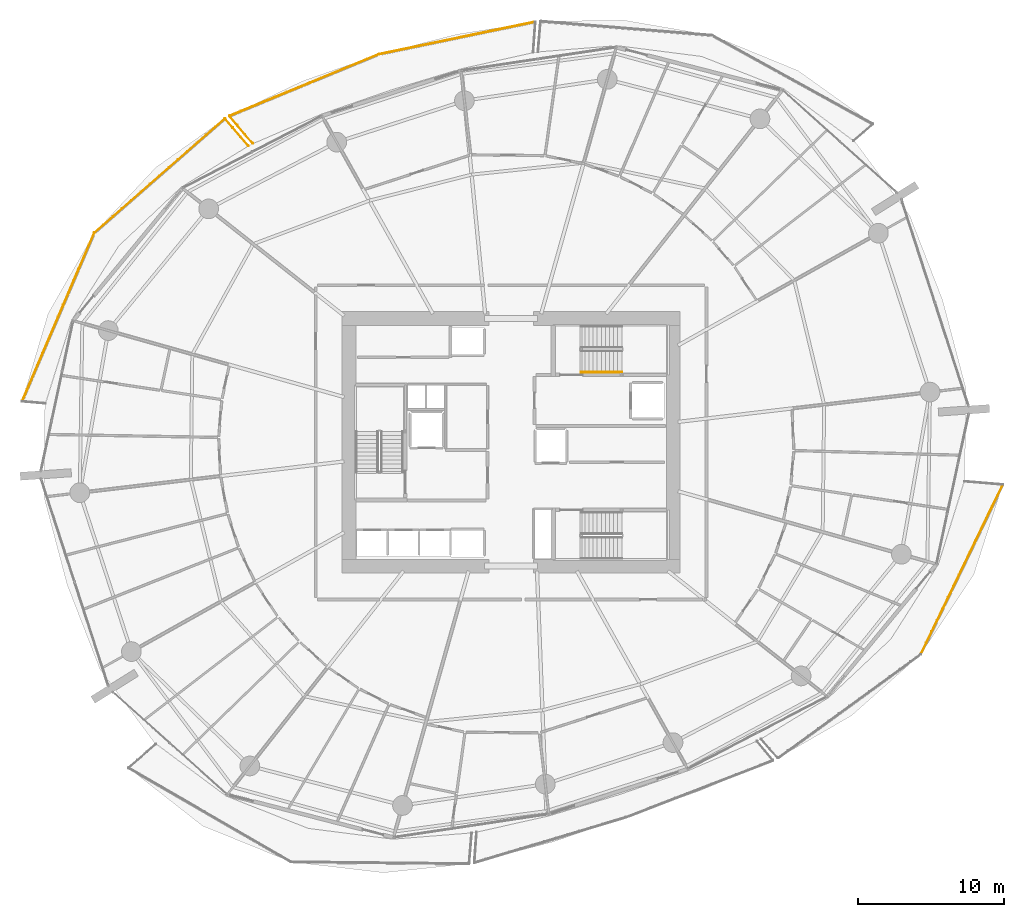
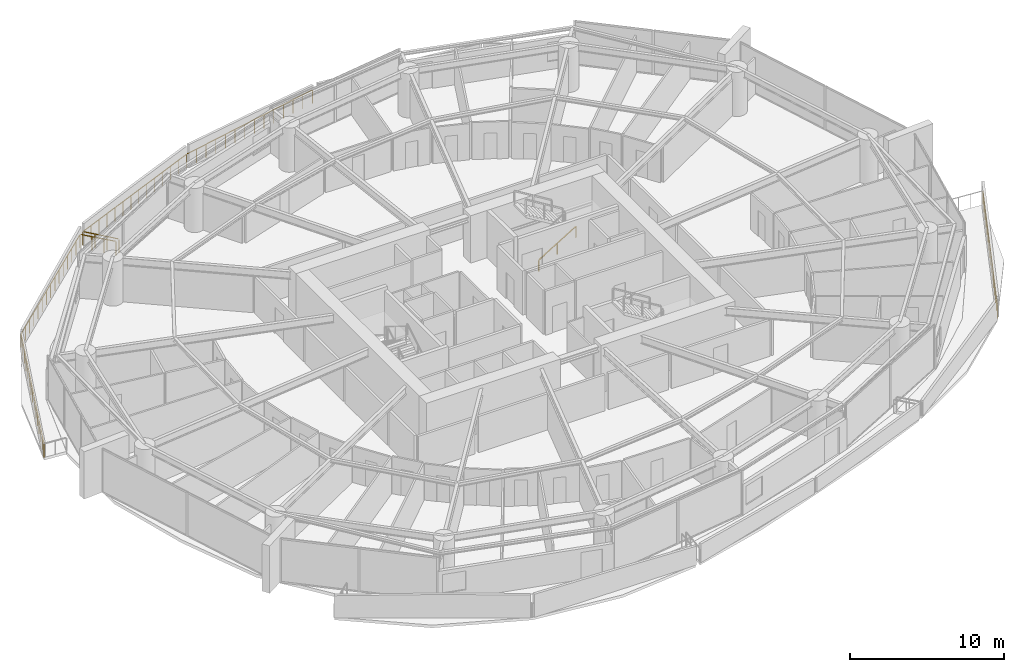
# One storey, part 28 of 30: 8 railings.
"""IFC4 building model written with IfcOpenShell, lengths in metres."""

from ifc_helpers import new_model, si_unit, direction, frame, origin, origin_2d, place, context, subcontext, project, spatial, rectangle, extrude, material, type_object, element, save


model = new_model("IFC4")

# Units and contexts
model_context = context("Model", 3, precision=1e-05, world=origin(), true_north=direction((0.0, 1.0)))
body_context = subcontext(model_context, "Body", "Model", "MODEL_VIEW")
ifc_project = project(units=[si_unit("LENGTHUNIT", "METRE"), si_unit("AREAUNIT", "SQUARE_METRE"), si_unit("VOLUMEUNIT", "CUBIC_METRE"), si_unit("PLANEANGLEUNIT", "RADIAN"), si_unit("MASSUNIT", "GRAM", prefix="KILO")], contexts=[model_context])

# Site, building, storey
site_placement = place(None, origin())
site = spatial("IfcSite", under=ifc_project, at=site_placement, CompositionType="ELEMENT")
building_placement = place(site_placement, origin())
building = spatial("IfcBuilding", under=site, at=building_placement, Name="Kazma Halo Residences", CompositionType="ELEMENT")
storey_placement = place(building_placement, frame((0.0, 0.0, 56.39990234375)))
storey = spatial("IfcBuildingStorey", under=building, at=storey_placement, Name="L13", CompositionType="ELEMENT", Elevation=56.39990234375)

# Railings
ifc_material_1 = material(Name="Aluminium AW-6063 T6 Brushed Cap Rail", Category="aluminium")
railing_type_1 = type_object("IfcRailingType", Name="RLG-BAL-CAP-1120", PredefinedType="BALUSTRADE", material=ifc_material_1)
railing_1_placement = place(storey_placement, frame((50.0888671875, 70.78955078125, 0.0)))
element("IfcRailing", 1, at=railing_1_placement, inside=storey, type_object=railing_type_1, Name="L13 NNW wave balcony guard 2", PredefinedType="BALUSTRADE", context=body_context, shape_type="SweptSolid", body=[
    extrude(rectangle(XDim=0.050048828125, YDim=0.050048828125, at=origin_2d()), frame((-0.041748046875, -0.008544921875, 1.09521484375), z_axis=(-0.979112484699, -0.2033193112, 0.0), x_axis=(0.2033193112, -0.979112484699, 0.0)), (0.0, 0.0, 1.0), 10.863525390625),
    extrude(rectangle(XDim=0.0400390625, YDim=0.0400390625, at=origin_2d()), origin(), (0.0, 0.0, 1.0), 1.05810546875),
    extrude(rectangle(XDim=0.0400390625, YDim=0.0400390625, at=origin_2d()), frame((-0.82470703125, -0.171142578125, 0.0)), (0.0, 0.0, 1.0), 1.05810546875),
    extrude(rectangle(XDim=0.0400390625, YDim=0.0400390625, at=origin_2d()), frame((-1.649169921875, -0.342529296875, 0.0)), (0.0, 0.0, 1.0), 1.05810546875),
    extrude(rectangle(XDim=0.0400390625, YDim=0.0400390625, at=origin_2d()), frame((-2.473876953125, -0.513671875, 0.0)), (0.0, 0.0, 1.0), 1.05810546875),
    extrude(rectangle(XDim=0.0400390625, YDim=0.0400390625, at=origin_2d()), frame((-3.29833984375, -0.68505859375, 0.0)), (0.0, 0.0, 1.0), 1.05810546875),
    extrude(rectangle(XDim=0.0400390625, YDim=0.0400390625, at=origin_2d()), frame((-4.123046875, -0.856201171875, 0.0)), (0.0, 0.0, 1.0), 1.05810546875),
    extrude(rectangle(XDim=0.0400390625, YDim=0.0400390625, at=origin_2d()), frame((-4.94775390625, -1.02734375, 0.0)), (0.0, 0.0, 1.0), 1.05810546875),
    extrude(rectangle(XDim=0.0400390625, YDim=0.0400390625, at=origin_2d()), frame((-5.772216796875, -1.19873046875, 0.0)), (0.0, 0.0, 1.0), 1.05810546875),
    extrude(rectangle(XDim=0.0400390625, YDim=0.0400390625, at=origin_2d()), frame((-6.596923828125, -1.369873046875, 0.0)), (0.0, 0.0, 1.0), 1.05810546875),
    extrude(rectangle(XDim=0.0400390625, YDim=0.0400390625, at=origin_2d()), frame((-7.421630859375, -1.541015625, 0.0)), (0.0, 0.0, 1.0), 1.05810546875),
    extrude(rectangle(XDim=0.0400390625, YDim=0.0400390625, at=origin_2d()), frame((-8.24609375, -1.71240234375, 0.0)), (0.0, 0.0, 1.0), 1.05810546875),
    extrude(rectangle(XDim=0.0400390625, YDim=0.0400390625, at=origin_2d()), frame((-9.07080078125, -1.883544921875, 0.0)), (0.0, 0.0, 1.0), 1.05810546875),
    extrude(rectangle(XDim=0.0400390625, YDim=0.0400390625, at=origin_2d()), frame((-9.895263671875, -2.054931640625, 0.0)), (0.0, 0.0, 1.0), 1.05810546875),
    extrude(rectangle(XDim=0.0400390625, YDim=0.0400390625, at=origin_2d()), frame((-10.719970703125, -2.22607421875, 0.0)), (0.0, 0.0, 1.0), 1.05810546875),
])
railing_2_placement = place(storey_placement, frame((39.368896484375, 68.5634765625, 0.0)))
element("IfcRailing", 2, at=railing_2_placement, inside=storey, type_object=railing_type_1, Name="L13 NNW wave balcony guard 3", PredefinedType="BALUSTRADE", context=body_context, shape_type="SweptSolid", body=[
    extrude(rectangle(XDim=0.050048828125, YDim=0.050048828125, at=origin_2d()), frame((-0.039306640625, -0.016357421875, 1.09521484375), z_axis=(-0.924216356135, -0.381869253873, 0.0), x_axis=(0.381869253873, -0.924216356135, 0.0)), (0.0, 0.0, 1.0), 10.968994140625),
    extrude(rectangle(XDim=0.0400390625, YDim=0.0400390625, at=origin_2d()), origin(), (0.0, 0.0, 1.0), 1.05810546875),
    extrude(rectangle(XDim=0.0400390625, YDim=0.0400390625, at=origin_2d()), frame((-0.785888671875, -0.32470703125, 0.0)), (0.0, 0.0, 1.0), 1.05810546875),
    extrude(rectangle(XDim=0.0400390625, YDim=0.0400390625, at=origin_2d()), frame((-1.57177734375, -0.6494140625, 0.0)), (0.0, 0.0, 1.0), 1.05810546875),
    extrude(rectangle(XDim=0.0400390625, YDim=0.0400390625, at=origin_2d()), frame((-2.357666015625, -0.97412109375, 0.0)), (0.0, 0.0, 1.0), 1.05810546875),
    extrude(rectangle(XDim=0.0400390625, YDim=0.0400390625, at=origin_2d()), frame((-3.1435546875, -1.298828125, 0.0)), (0.0, 0.0, 1.0), 1.05810546875),
    extrude(rectangle(XDim=0.0400390625, YDim=0.0400390625, at=origin_2d()), frame((-3.929443359375, -1.62353515625, 0.0)), (0.0, 0.0, 1.0), 1.05810546875),
    extrude(rectangle(XDim=0.0400390625, YDim=0.0400390625, at=origin_2d()), frame((-4.71533203125, -1.9482421875, 0.0)), (0.0, 0.0, 1.0), 1.05810546875),
    extrude(rectangle(XDim=0.0400390625, YDim=0.0400390625, at=origin_2d()), frame((-5.5009765625, -2.27294921875, 0.0)), (0.0, 0.0, 1.0), 1.05810546875),
    extrude(rectangle(XDim=0.0400390625, YDim=0.0400390625, at=origin_2d()), frame((-6.286865234375, -2.59765625, 0.0)), (0.0, 0.0, 1.0), 1.05810546875),
    extrude(rectangle(XDim=0.0400390625, YDim=0.0400390625, at=origin_2d()), frame((-7.07275390625, -2.92236328125, 0.0)), (0.0, 0.0, 1.0), 1.05810546875),
    extrude(rectangle(XDim=0.0400390625, YDim=0.0400390625, at=origin_2d()), frame((-7.858642578125, -3.2470703125, 0.0)), (0.0, 0.0, 1.0), 1.05810546875),
    extrude(rectangle(XDim=0.0400390625, YDim=0.0400390625, at=origin_2d()), frame((-8.64453125, -3.57177734375, 0.0)), (0.0, 0.0, 1.0), 1.05810546875),
    extrude(rectangle(XDim=0.0400390625, YDim=0.0400390625, at=origin_2d()), frame((-9.430419921875, -3.896484375, 0.0)), (0.0, 0.0, 1.0), 1.05810546875),
    extrude(rectangle(XDim=0.0400390625, YDim=0.0400390625, at=origin_2d()), frame((-10.21630859375, -4.22119140625, 0.0)), (0.0, 0.0, 1.0), 1.05810546875),
])
railing_3_placement = place(storey_placement, frame((29.152587890625, 64.34228515625, 0.0)))
element("IfcRailing", 3, at=railing_3_placement, inside=storey, type_object=railing_type_1, Name="L13 NNW wave balcony guard 4", PredefinedType="BALUSTRADE", context=body_context, shape_type="SweptSolid", body=[
    extrude(rectangle(XDim=0.050048828125, YDim=0.050048828125, at=origin_2d()), frame((0.02734375, -0.032470703125, 1.09521484375), z_axis=(0.644820619773, -0.764333937697, 0.0), x_axis=(0.764333937697, 0.644820619773, 0.0)), (0.0, 0.0, 1.0), 2.394775390625),
    extrude(rectangle(XDim=0.0400390625, YDim=0.0400390625, at=origin_2d()), origin(), (0.0, 0.0, 1.0), 1.05810546875),
    extrude(rectangle(XDim=0.0400390625, YDim=0.0400390625, at=origin_2d()), frame((0.532958984375, -0.6318359375, 0.0)), (0.0, 0.0, 1.0), 1.05810546875),
    extrude(rectangle(XDim=0.0400390625, YDim=0.0400390625, at=origin_2d()), frame((1.066162109375, -1.263671875, 0.0)), (0.0, 0.0, 1.0), 1.05810546875),
    extrude(rectangle(XDim=0.0400390625, YDim=0.0400390625, at=origin_2d()), frame((1.59912109375, -1.8955078125, 0.0)), (0.0, 0.0, 1.0), 1.05810546875),
])
railing_4_placement = place(storey_placement, frame((30.453857421875, 62.29150390625, 0.0)))
element("IfcRailing", 4, at=railing_4_placement, inside=storey, type_object=railing_type_1, Name="L13 NW wave balcony guard 1", PredefinedType="BALUSTRADE", context=body_context, shape_type="SweptSolid", body=[
    extrude(rectangle(XDim=0.050048828125, YDim=0.050048828125, at=origin_2d()), frame((-0.02783203125, 0.0322265625, 1.09521484375), z_axis=(-0.654087786706, 0.756418645514, 0.0), x_axis=(-0.756418645514, -0.654087786706, 0.0)), (0.0, 0.0, 1.0), 2.38671875),
    extrude(rectangle(XDim=0.0400390625, YDim=0.0400390625, at=origin_2d()), origin(), (0.0, 0.0, 1.0), 1.05810546875),
    extrude(rectangle(XDim=0.0400390625, YDim=0.0400390625, at=origin_2d()), frame((-0.538818359375, 0.623291015625, 0.0)), (0.0, 0.0, 1.0), 1.05810546875),
    extrude(rectangle(XDim=0.0400390625, YDim=0.0400390625, at=origin_2d()), frame((-1.077880859375, 1.246337890625, 0.0)), (0.0, 0.0, 1.0), 1.05810546875),
    extrude(rectangle(XDim=0.0400390625, YDim=0.0400390625, at=origin_2d()), frame((-1.61669921875, 1.86962890625, 0.0)), (0.0, 0.0, 1.0), 1.05810546875),
])
railing_5_placement = place(storey_placement, frame((28.837158203125, 64.1611328125, 0.0)))
element("IfcRailing", 5, at=railing_5_placement, inside=storey, type_object=railing_type_1, Name="L13 NW wave balcony guard 2", PredefinedType="BALUSTRADE", context=body_context, shape_type="SweptSolid", body=[
    extrude(rectangle(XDim=0.050048828125, YDim=0.050048828125, at=origin_2d()), frame((-0.031982421875, -0.028076171875, 1.09521484375), z_axis=(-0.752310924401, -0.658808221736, 0.0), x_axis=(0.658808221736, -0.752310924401, 0.0)), (0.0, 0.0, 1.0), 11.810791015625),
    extrude(rectangle(XDim=0.0400390625, YDim=0.0400390625, at=origin_2d()), origin(), (0.0, 0.0, 1.0), 1.05810546875),
    extrude(rectangle(XDim=0.0400390625, YDim=0.0400390625, at=origin_2d()), frame((-0.63916015625, -0.559814453125, 0.0)), (0.0, 0.0, 1.0), 1.05810546875),
    extrude(rectangle(XDim=0.0400390625, YDim=0.0400390625, at=origin_2d()), frame((-1.278564453125, -1.11962890625, 0.0)), (0.0, 0.0, 1.0), 1.05810546875),
    extrude(rectangle(XDim=0.0400390625, YDim=0.0400390625, at=origin_2d()), frame((-1.917724609375, -1.679443359375, 0.0)), (0.0, 0.0, 1.0), 1.05810546875),
    extrude(rectangle(XDim=0.0400390625, YDim=0.0400390625, at=origin_2d()), frame((-2.556884765625, -2.2392578125, 0.0)), (0.0, 0.0, 1.0), 1.05810546875),
    extrude(rectangle(XDim=0.0400390625, YDim=0.0400390625, at=origin_2d()), frame((-3.1962890625, -2.799072265625, 0.0)), (0.0, 0.0, 1.0), 1.05810546875),
    extrude(rectangle(XDim=0.0400390625, YDim=0.0400390625, at=origin_2d()), frame((-3.83544921875, -3.35888671875, 0.0)), (0.0, 0.0, 1.0), 1.05810546875),
    extrude(rectangle(XDim=0.0400390625, YDim=0.0400390625, at=origin_2d()), frame((-4.474609375, -3.91845703125, 0.0)), (0.0, 0.0, 1.0), 1.05810546875),
    extrude(rectangle(XDim=0.0400390625, YDim=0.0400390625, at=origin_2d()), frame((-5.114013671875, -4.478271484375, 0.0)), (0.0, 0.0, 1.0), 1.05810546875),
    extrude(rectangle(XDim=0.0400390625, YDim=0.0400390625, at=origin_2d()), frame((-5.753173828125, -5.0380859375, 0.0)), (0.0, 0.0, 1.0), 1.05810546875),
    extrude(rectangle(XDim=0.0400390625, YDim=0.0400390625, at=origin_2d()), frame((-6.392578125, -5.597900390625, 0.0)), (0.0, 0.0, 1.0), 1.05810546875),
    extrude(rectangle(XDim=0.0400390625, YDim=0.0400390625, at=origin_2d()), frame((-7.03173828125, -6.15771484375, 0.0)), (0.0, 0.0, 1.0), 1.05810546875),
    extrude(rectangle(XDim=0.0400390625, YDim=0.0400390625, at=origin_2d()), frame((-7.6708984375, -6.717529296875, 0.0)), (0.0, 0.0, 1.0), 1.05810546875),
    extrude(rectangle(XDim=0.0400390625, YDim=0.0400390625, at=origin_2d()), frame((-8.310302734375, -7.27734375, 0.0)), (0.0, 0.0, 1.0), 1.05810546875),
    extrude(rectangle(XDim=0.0400390625, YDim=0.0400390625, at=origin_2d()), frame((-8.949462890625, -7.837158203125, 0.0)), (0.0, 0.0, 1.0), 1.05810546875),
])
railing_6_placement = place(storey_placement, frame((19.8876953125, 56.323974609375, 0.0)))
element("IfcRailing", 6, at=railing_6_placement, inside=storey, type_object=railing_type_1, Name="L13 NW wave balcony guard 3", PredefinedType="BALUSTRADE", context=body_context, shape_type="SweptSolid", body=[
    extrude(rectangle(XDim=0.050048828125, YDim=0.050048828125, at=origin_2d()), frame((-0.016845703125, -0.0390625, 1.09521484375), z_axis=(-0.393752359053, -0.919216557586, 0.0), x_axis=(0.919216557586, -0.393752359053, 0.0)), (0.0, 0.0, 1.0), 12.447021484375),
    extrude(rectangle(XDim=0.0400390625, YDim=0.0400390625, at=origin_2d()), origin(), (0.0, 0.0, 1.0), 1.05810546875),
    extrude(rectangle(XDim=0.0400390625, YDim=0.0400390625, at=origin_2d()), frame((-0.3525390625, -0.82275390625, 0.0)), (0.0, 0.0, 1.0), 1.05810546875),
    extrude(rectangle(XDim=0.0400390625, YDim=0.0400390625, at=origin_2d()), frame((-0.704833984375, -1.645751953125, 0.0)), (0.0, 0.0, 1.0), 1.05810546875),
    extrude(rectangle(XDim=0.0400390625, YDim=0.0400390625, at=origin_2d()), frame((-1.057373046875, -2.468505859375, 0.0)), (0.0, 0.0, 1.0), 1.05810546875),
    extrude(rectangle(XDim=0.0400390625, YDim=0.0400390625, at=origin_2d()), frame((-1.409912109375, -3.291259765625, 0.0)), (0.0, 0.0, 1.0), 1.05810546875),
    extrude(rectangle(XDim=0.0400390625, YDim=0.0400390625, at=origin_2d()), frame((-1.762451171875, -4.1142578125, 0.0)), (0.0, 0.0, 1.0), 1.05810546875),
    extrude(rectangle(XDim=0.0400390625, YDim=0.0400390625, at=origin_2d()), frame((-2.11474609375, -4.93701171875, 0.0)), (0.0, 0.0, 1.0), 1.05810546875),
    extrude(rectangle(XDim=0.0400390625, YDim=0.0400390625, at=origin_2d()), frame((-2.46728515625, -5.759765625, 0.0)), (0.0, 0.0, 1.0), 1.05810546875),
    extrude(rectangle(XDim=0.0400390625, YDim=0.0400390625, at=origin_2d()), frame((-2.81982421875, -6.582763671875, 0.0)), (0.0, 0.0, 1.0), 1.05810546875),
    extrude(rectangle(XDim=0.0400390625, YDim=0.0400390625, at=origin_2d()), frame((-3.172119140625, -7.405517578125, 0.0)), (0.0, 0.0, 1.0), 1.05810546875),
    extrude(rectangle(XDim=0.0400390625, YDim=0.0400390625, at=origin_2d()), frame((-3.524658203125, -8.228515625, 0.0)), (0.0, 0.0, 1.0), 1.05810546875),
    extrude(rectangle(XDim=0.0400390625, YDim=0.0400390625, at=origin_2d()), frame((-3.877197265625, -9.05126953125, 0.0)), (0.0, 0.0, 1.0), 1.05810546875),
    extrude(rectangle(XDim=0.0400390625, YDim=0.0400390625, at=origin_2d()), frame((-4.229736328125, -9.8740234375, 0.0)), (0.0, 0.0, 1.0), 1.05810546875),
    extrude(rectangle(XDim=0.0400390625, YDim=0.0400390625, at=origin_2d()), frame((-4.58203125, -10.697021484375, 0.0)), (0.0, 0.0, 1.0), 1.05810546875),
    extrude(rectangle(XDim=0.0400390625, YDim=0.0400390625, at=origin_2d()), frame((-4.9345703125, -11.519775390625, 0.0)), (0.0, 0.0, 1.0), 1.05810546875),
])
railing_7_placement = place(storey_placement, frame((76.466796875, 27.49560546875, 0.0)))
element("IfcRailing", 7, at=railing_7_placement, inside=storey, type_object=railing_type_1, Name="L13 SE wave balcony guard 3", PredefinedType="BALUSTRADE", context=body_context, shape_type="SweptSolid", body=[
    extrude(rectangle(XDim=0.050048828125, YDim=0.050048828125, at=origin_2d()), frame((0.0185546875, 0.038330078125, 1.09521484375), z_axis=(0.435394695787, 0.900239667467, 0.0), x_axis=(-0.900239667467, 0.435394695787, 0.0)), (0.0, 0.0, 1.0), 12.81396484375),
    extrude(rectangle(XDim=0.0400390625, YDim=0.0400390625, at=origin_2d()), origin(), (0.0, 0.0, 1.0), 1.05810546875),
    extrude(rectangle(XDim=0.0400390625, YDim=0.0400390625, at=origin_2d()), frame((0.37451171875, 0.774169921875, 0.0)), (0.0, 0.0, 1.0), 1.05810546875),
    extrude(rectangle(XDim=0.0400390625, YDim=0.0400390625, at=origin_2d()), frame((0.748779296875, 1.54833984375, 0.0)), (0.0, 0.0, 1.0), 1.05810546875),
    extrude(rectangle(XDim=0.0400390625, YDim=0.0400390625, at=origin_2d()), frame((1.123291015625, 2.322509765625, 0.0)), (0.0, 0.0, 1.0), 1.05810546875),
    extrude(rectangle(XDim=0.0400390625, YDim=0.0400390625, at=origin_2d()), frame((1.49755859375, 3.0966796875, 0.0)), (0.0, 0.0, 1.0), 1.05810546875),
    extrude(rectangle(XDim=0.0400390625, YDim=0.0400390625, at=origin_2d()), frame((1.8720703125, 3.870849609375, 0.0)), (0.0, 0.0, 1.0), 1.05810546875),
    extrude(rectangle(XDim=0.0400390625, YDim=0.0400390625, at=origin_2d()), frame((2.24658203125, 4.64501953125, 0.0)), (0.0, 0.0, 1.0), 1.05810546875),
    extrude(rectangle(XDim=0.0400390625, YDim=0.0400390625, at=origin_2d()), frame((2.620849609375, 5.419189453125, 0.0)), (0.0, 0.0, 1.0), 1.05810546875),
    extrude(rectangle(XDim=0.0400390625, YDim=0.0400390625, at=origin_2d()), frame((2.995361328125, 6.193115234375, 0.0)), (0.0, 0.0, 1.0), 1.05810546875),
    extrude(rectangle(XDim=0.0400390625, YDim=0.0400390625, at=origin_2d()), frame((3.36962890625, 6.96728515625, 0.0)), (0.0, 0.0, 1.0), 1.05810546875),
    extrude(rectangle(XDim=0.0400390625, YDim=0.0400390625, at=origin_2d()), frame((3.744140625, 7.741455078125, 0.0)), (0.0, 0.0, 1.0), 1.05810546875),
    extrude(rectangle(XDim=0.0400390625, YDim=0.0400390625, at=origin_2d()), frame((4.11865234375, 8.515625, 0.0)), (0.0, 0.0, 1.0), 1.05810546875),
    extrude(rectangle(XDim=0.0400390625, YDim=0.0400390625, at=origin_2d()), frame((4.492919921875, 9.289794921875, 0.0)), (0.0, 0.0, 1.0), 1.05810546875),
    extrude(rectangle(XDim=0.0400390625, YDim=0.0400390625, at=origin_2d()), frame((4.867431640625, 10.06396484375, 0.0)), (0.0, 0.0, 1.0), 1.05810546875),
    extrude(rectangle(XDim=0.0400390625, YDim=0.0400390625, at=origin_2d()), frame((5.24169921875, 10.838134765625, 0.0)), (0.0, 0.0, 1.0), 1.05810546875),
    extrude(rectangle(XDim=0.0400390625, YDim=0.0400390625, at=origin_2d()), frame((5.6162109375, 11.6123046875, 0.0)), (0.0, 0.0, 1.0), 1.05810546875),
])
ifc_material_2 = material(Name="Brushed Stainless Steel", Category="steel")
railing_type_2 = type_object("IfcRailingType", Name="RLG-STAIR-HND-900", PredefinedType="HANDRAIL", material=ifc_material_2)
railing_8_placement = place(storey_placement, frame((53.199951171875, 46.800048828125, 0.170654296875)))
element("IfcRailing", 8, at=railing_8_placement, inside=storey, type_object=railing_type_2, Name="L13 ST-02 stair handrail 1", PredefinedType="HANDRAIL", context=body_context, shape_type="SweptSolid", body=[
    extrude(rectangle(XDim=0.050048828125, YDim=0.050048828125, at=origin_2d()), frame((0.036376953125, 0.0, 0.89697265625), z_axis=(0.854202870247, 0.0, 0.519939858505), x_axis=(0.0, 1.0, 0.0)), (0.0, 0.0, 1.0), 3.19287109375),
    extrude(rectangle(XDim=0.0400390625, YDim=0.0400390625, at=origin_2d()), origin(), (0.0, 0.0, 1.0), 0.837890625),
    extrude(rectangle(XDim=0.0400390625, YDim=0.0400390625, at=origin_2d()), frame((1.39990234375, 0.0, 0.85205078125)), (0.0, 0.0, 1.0), 0.837890625),
    extrude(rectangle(XDim=0.0400390625, YDim=0.0400390625, at=origin_2d()), frame((2.800048828125, 0.0, 1.704345703125)), (0.0, 0.0, 1.0), 0.837890625),
])

save(model, "model.ifc")
